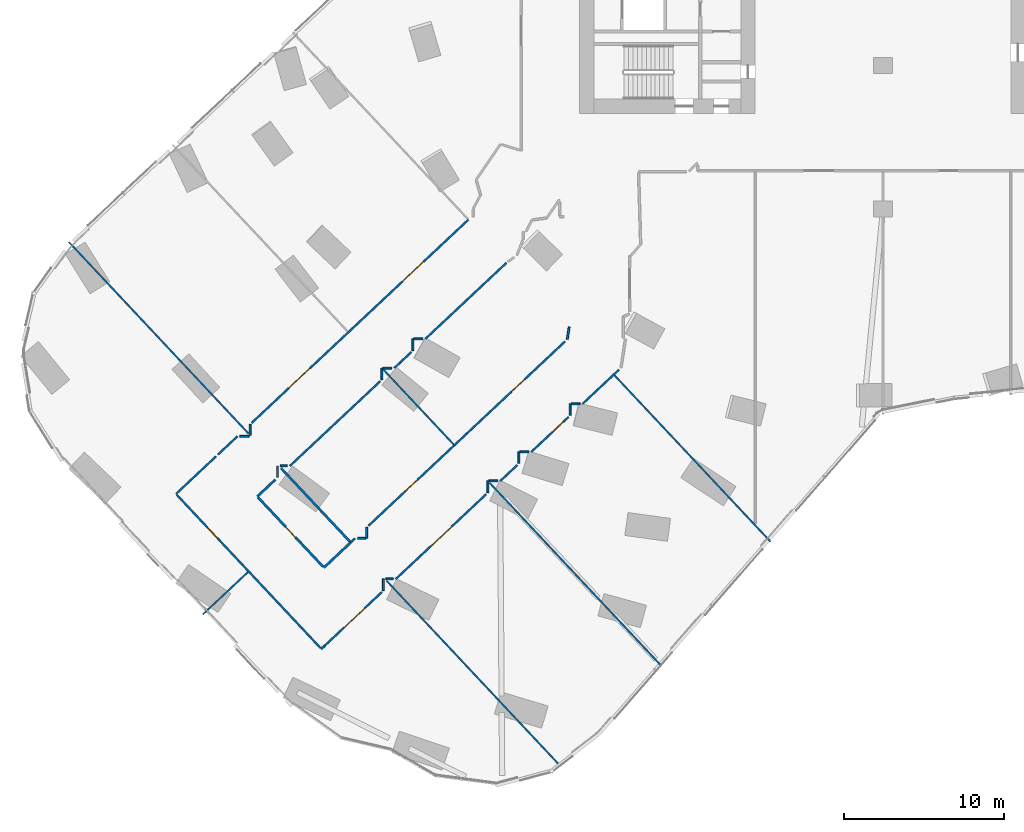
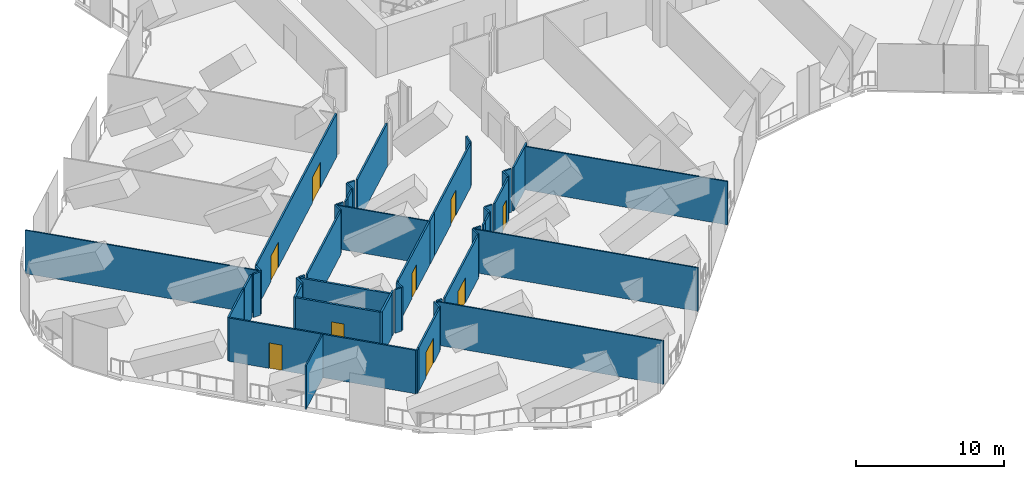
# One storey, part 21 of 31: 48 walls, 9 doors, 9 openings.
"""IFC4 building model written with IfcOpenShell, lengths in metres."""

from ifc_helpers import new_model, si_unit, direction, frame, frame_2d, origin, place, context, subcontext, project, spatial, rectangle, extrude, material, layer, layer_set, type_object, element, fill, save


model = new_model("IFC4")

# Units and contexts
model_context = context("Model", 3, precision=1e-05, world=origin(), true_north=direction((0.0, 1.0)))
body_context = subcontext(model_context, "Body", "Model", "MODEL_VIEW")
ifc_project = project(units=[si_unit("LENGTHUNIT", "METRE"), si_unit("AREAUNIT", "SQUARE_METRE"), si_unit("VOLUMEUNIT", "CUBIC_METRE"), si_unit("PLANEANGLEUNIT", "RADIAN"), si_unit("MASSUNIT", "GRAM", prefix="KILO")], contexts=[model_context])

# Site, building, storey
site_placement = place(None, origin())
site = spatial("IfcSite", under=ifc_project, at=site_placement, CompositionType="ELEMENT")
building_placement = place(site_placement, origin())
building = spatial("IfcBuilding", under=site, at=building_placement, Name="Orlundy Tower", CompositionType="ELEMENT")
storey_placement = place(building_placement, frame((0.0, 0.0, 54.800048828125)))
storey = spatial("IfcBuildingStorey", under=building, at=storey_placement, Name="L12", CompositionType="ELEMENT", Elevation=54.800048828125)

# Walls
ifc_material_1 = material(Name="Gypsum board partition")
ifc_layer_1 = layer(ifc_material_1, 0.10009765625)
ifc_layer_set_1 = layer_set([ifc_layer_1], Name="Floor partition 100")
wall_type_1 = type_object("IfcWallType", Name="Floor partition 100", PredefinedType="PARTITIONING", material=ifc_layer_set_1)
wall_1_placement = place(storey_placement, frame((-50.97900390625, -20.052001953125, 0.0), z_axis=(0.0, 0.0, 1.0), x_axis=(0.684158310291, -0.729333535812, 0.0)))
element("IfcWall", 1, at=wall_1_placement, inside=storey, type_object=wall_type_1, Name="wall-int-L12-016", PredefinedType="PARTITIONING", context=body_context, shape_type="SweptSolid", body=[
    extrude(rectangle(XDim=16.45068359375, YDim=0.10009765625, at=frame_2d((8.225341796875, 0.0))), origin(), (0.0, 0.0, 1.0), 3.579833984375),
])
wall_2_placement = place(storey_placement, frame((-31.0849609375, -41.260986328125, 0.0), z_axis=(0.0, 0.0, 1.0), x_axis=(0.684092269, -0.729395480857, 0.0)))
element("IfcWall", 2, at=wall_2_placement, inside=storey, type_object=wall_type_1, Name="wall-int-L12-018", PredefinedType="PARTITIONING", context=body_context, shape_type="SweptSolid", body=[
    extrude(rectangle(XDim=15.95703125, YDim=0.10009765625, at=frame_2d((7.978515625, 0.0))), origin(), (0.0, 0.0, 1.0), 3.579833984375),
])
wall_3_placement = place(storey_placement, frame((-31.27392578125, -28.052001953125, 0.0), z_axis=(0.0, 0.0, 1.0), x_axis=(0.684140939344, -0.729349830406, 0.0)))
element("IfcWall", 3, at=wall_3_placement, inside=storey, type_object=wall_type_1, Name="wall-int-L12-020", PredefinedType="PARTITIONING", context=body_context, shape_type="SweptSolid", body=[
    extrude(rectangle(XDim=6.4208984375, YDim=0.10009765625, at=frame_2d((3.21044921875, 0.0))), origin(), (0.0, 0.0, 1.0), 3.579833984375),
])
wall_4_placement = place(storey_placement, frame((-24.637939453125, -35.1259765625, 0.0), z_axis=(0.0, 0.0, 1.0), x_axis=(0.684140619999, -0.729350129956, 0.0)))
element("IfcWall", 4, at=wall_4_placement, inside=storey, type_object=wall_type_1, Name="wall-int-L12-021", PredefinedType="PARTITIONING", context=body_context, shape_type="SweptSolid", body=[
    extrude(rectangle(XDim=15.75244140625, YDim=0.10009765625, at=frame_2d((7.876220703125, 0.0))), origin(), (0.0, 0.0, 1.0), 3.579833984375),
])
wall_5_placement = place(storey_placement, frame((-16.81298828125, -28.402099609375, 0.0), z_axis=(0.0, 0.0, 1.0), x_axis=(0.684091249036, -0.729396437469, 0.0)))
element("IfcWall", 5, at=wall_5_placement, inside=storey, type_object=wall_type_1, Name="wall-int-L12-023", PredefinedType="PARTITIONING", context=body_context, shape_type="SweptSolid", body=[
    extrude(rectangle(XDim=14.2802734375, YDim=0.10009765625, at=frame_2d((7.14013671875, 0.0))), origin(), (0.0, 0.0, 1.0), 3.579833984375),
])
wall_6_placement = place(storey_placement, frame((-42.597900390625, -43.384033203125, 0.0), z_axis=(0.0, 0.0, 1.0), x_axis=(0.729270698329, 0.684225290791, 0.0)))
element("IfcWall", 6, at=wall_6_placement, inside=storey, type_object=wall_type_1, Name="wall-int-L12-106", PredefinedType="PARTITIONING", context=body_context, shape_type="SweptSolid", body=[
    extrude(rectangle(XDim=3.885986328125, YDim=0.10009765625, at=frame_2d((1.94287109375, 0.0))), origin(), (0.0, 0.0, 1.0), 3.579833984375),
])

# Wall, opening, door
ifc_material_2 = material(Name="Gypsum board partition, double layer")
ifc_layer_2 = layer(ifc_material_2, 0.125)
ifc_layer_set_2 = layer_set([ifc_layer_2], Name="Floor partition 125")
wall_type_2 = type_object("IfcWallType", Name="Floor partition 125", PredefinedType="PARTITIONING", material=ifc_layer_set_2)
wall_7_placement = place(storey_placement, frame((-35.20703125, -45.489990234375, 0.0), z_axis=(0.0, 0.0, 1.0), x_axis=(-0.684214039895, 0.72928125412, 0.0)))
wall_7 = element("IfcWall", 7, at=wall_7_placement, inside=storey, type_object=wall_type_2, Name="wall-int-L12-014", PredefinedType="PARTITIONING", context=body_context, shape_type="SweptSolid", body=[
    extrude(rectangle(XDim=13.18017578125, YDim=0.125, at=frame_2d((6.590087890625, 0.0))), origin(), (0.0, 0.0, 1.0), 3.579833984375),
])
opening_1_placement = place(wall_7_placement, frame((9.443115234375, 0.0, 0.0)))
opening_1 = element("IfcOpeningElement", 8, at=opening_1_placement, cuts=wall_7, Name="Opening 11114", PredefinedType="OPENING", context=body_context, shape_type="SweptSolid", body=[
    extrude(rectangle(XDim=0.89990234375, YDim=2.10009765625, at=frame_2d((0.449951171875, 1.050048828125))), frame((0.0, 0.072509765625, 0.0), z_axis=(0.0, -1.0, 0.0), x_axis=(1.0, 0.0, 0.0)), (0.0, 0.0, 1.0), 0.14501953125),
])
ifc_material_3 = material(Name="Timber door leaf", Category="wood")
door_type_1 = type_object("IfcDoorType", Name="Floor door single 900 FD30S", OperationType="NOTDEFINED", PredefinedType="DOOR", material=ifc_material_3)
door_1_placement = place(opening_1_placement, origin())
door_1 = element("IfcDoor", 9, at=door_1_placement, inside=storey, type_object=door_type_1, Name="Door 11114", OperationType="SINGLE_SWING_RIGHT", OverallHeight=2.10009765625, OverallWidth=0.89990234375, PredefinedType="DOOR", context=body_context, shape_type="SweptSolid", body=[
    extrude(rectangle(XDim=0.89990234375, YDim=2.10009765625, at=frame_2d((0.449951171875, 1.050048828125))), frame((0.0, 0.02490234375, 0.0), z_axis=(0.0, -1.0, 0.0), x_axis=(1.0, 0.0, 0.0)), (0.0, 0.0, 1.0), 0.050048828125),
])
fill(opening_1, door_1)

# Walls
wall_8_placement = place(storey_placement, frame((-31.1220703125, -41.155029296875, 0.0), z_axis=(0.0, 0.0, 1.0), x_axis=(1.0, 0.0, 0.0)))
element("IfcWall", 10, at=wall_8_placement, inside=storey, type_object=wall_type_2, Name="wall-int-L12-050", PredefinedType="PARTITIONING", context=body_context, shape_type="SweptSolid", body=[
    extrude(rectangle(XDim=0.462158203125, YDim=0.125, at=frame_2d((0.23095703125, 0.0))), origin(), (0.0, 0.0, 1.0), 3.579833984375),
])
wall_9_placement = place(storey_placement, frame((-32.888916015625, -38.60498046875, 0.0), z_axis=(0.0, 0.0, 1.0), x_axis=(1.0, 0.0, 0.0)))
element("IfcWall", 11, at=wall_9_placement, inside=storey, type_object=wall_type_2, Name="wall-int-L12-051", PredefinedType="PARTITIONING", context=body_context, shape_type="SweptSolid", body=[
    extrude(rectangle(XDim=0.5029296875, YDim=0.125, at=frame_2d((0.25146484375, 0.0))), origin(), (0.0, 0.0, 1.0), 3.579833984375),
])
wall_10_placement = place(storey_placement, frame((-24.674072265625, -35.02001953125, 0.0), z_axis=(0.0, 0.0, 1.0), x_axis=(1.0, 0.0, 0.0)))
element("IfcWall", 12, at=wall_10_placement, inside=storey, type_object=wall_type_2, Name="wall-int-L12-052", PredefinedType="PARTITIONING", context=body_context, shape_type="SweptSolid", body=[
    extrude(rectangle(XDim=0.55517578125, YDim=0.125, at=frame_2d((0.277587890625, 0.0))), origin(), (0.0, 0.0, 1.0), 3.579833984375),
])
wall_11_placement = place(storey_placement, frame((-37.74609375, -34.080078125, 0.0), z_axis=(0.0, 0.0, 1.0), x_axis=(1.0, 0.0, 0.0)))
element("IfcWall", 13, at=wall_11_placement, inside=storey, type_object=wall_type_2, Name="wall-int-L12-053", PredefinedType="PARTITIONING", context=body_context, shape_type="SweptSolid", body=[
    extrude(rectangle(XDim=0.4501953125, YDim=0.125, at=frame_2d((0.22509765625, 0.0))), origin(), (0.0, 0.0, 1.0), 3.579833984375),
])
wall_12_placement = place(storey_placement, frame((-22.72998046875, -33.196044921875, 0.0), z_axis=(0.0, 0.0, 1.0), x_axis=(1.0, 0.0, 0.0)))
element("IfcWall", 14, at=wall_12_placement, inside=storey, type_object=wall_type_2, Name="wall-int-L12-054", PredefinedType="PARTITIONING", context=body_context, shape_type="SweptSolid", body=[
    extrude(rectangle(XDim=0.555908203125, YDim=0.125, at=frame_2d((0.27783203125, 0.0))), origin(), (0.0, 0.0, 1.0), 3.579833984375),
])
wall_13_placement = place(storey_placement, frame((-40.260009765625, -32.219970703125, 0.0), z_axis=(0.0, 0.0, 1.0), x_axis=(1.0, 0.0, 0.0)))
element("IfcWall", 15, at=wall_13_placement, inside=storey, type_object=wall_type_2, Name="wall-int-L12-055", PredefinedType="PARTITIONING", context=body_context, shape_type="SweptSolid", body=[
    extrude(rectangle(XDim=0.572021484375, YDim=0.125, at=frame_2d((0.2861328125, 0.0))), origin(), (0.0, 0.0, 1.0), 3.579833984375),
])
wall_14_placement = place(storey_placement, frame((-19.52001953125, -30.18603515625, 0.0), z_axis=(0.0, 0.0, 1.0), x_axis=(1.0, 0.0, 0.0)))
element("IfcWall", 16, at=wall_14_placement, inside=storey, type_object=wall_type_2, Name="wall-int-L12-056", PredefinedType="PARTITIONING", context=body_context, shape_type="SweptSolid", body=[
    extrude(rectangle(XDim=0.554931640625, YDim=0.125, at=frame_2d((0.27734375, 0.0))), origin(), (0.0, 0.0, 1.0), 3.579833984375),
])
wall_15_placement = place(storey_placement, frame((-31.31103515625, -27.945068359375, 0.0), z_axis=(0.0, 0.0, 1.0), x_axis=(1.0, 0.0, 0.0)))
element("IfcWall", 17, at=wall_15_placement, inside=storey, type_object=wall_type_2, Name="wall-int-L12-057", PredefinedType="PARTITIONING", context=body_context, shape_type="SweptSolid", body=[
    extrude(rectangle(XDim=0.55712890625, YDim=0.125, at=frame_2d((0.278564453125, 0.0))), origin(), (0.0, 0.0, 1.0), 3.579833984375),
])
wall_16_placement = place(storey_placement, frame((-29.365966796875, -26.12109375, 0.0), z_axis=(0.0, 0.0, 1.0), x_axis=(1.0, 0.0, 0.0)))
element("IfcWall", 18, at=wall_16_placement, inside=storey, type_object=wall_type_2, Name="wall-int-L12-058", PredefinedType="PARTITIONING", context=body_context, shape_type="SweptSolid", body=[
    extrude(rectangle(XDim=0.556884765625, YDim=0.125, at=frame_2d((0.2783203125, 0.0))), origin(), (0.0, 0.0, 1.0), 3.579833984375),
])
wall_17_placement = place(storey_placement, frame((-35.16796875, -45.531982421875, 0.0), z_axis=(0.0, 0.0, 1.0), x_axis=(0.729917735091, 0.683535002761, 0.0)))
element("IfcWall", 19, at=wall_17_placement, inside=storey, type_object=wall_type_2, Name="wall-int-L12-091", PredefinedType="PARTITIONING", context=body_context, shape_type="SweptSolid", body=[
    extrude(rectangle(XDim=0.300048828125, YDim=0.125, at=frame_2d((0.14990234375, 0.0))), origin(), (0.0, 0.0, 1.0), 3.579833984375),
])
wall_18_placement = place(storey_placement, frame((-23.9609375, -35.02001953125, 0.0), z_axis=(0.0, 0.0, 1.0), x_axis=(0.729691146692, 0.683776886447, 0.0)))
element("IfcWall", 20, at=wall_18_placement, inside=storey, type_object=wall_type_2, Name="wall-int-L12-092", PredefinedType="PARTITIONING", context=body_context, shape_type="SweptSolid", body=[
    extrude(rectangle(XDim=0.49462890625, YDim=0.125, at=frame_2d((0.247314453125, 0.0))), origin(), (0.0, 0.0, 1.0), 3.579833984375),
])
wall_19_placement = place(storey_placement, frame((-30.236083984375, -27.60693359375, 0.0), z_axis=(0.0, 0.0, 1.0), x_axis=(0.730201947911, 0.683231377548, 0.0)))
element("IfcWall", 21, at=wall_19_placement, inside=storey, type_object=wall_type_2, Name="wall-int-L12-093", PredefinedType="PARTITIONING", context=body_context, shape_type="SweptSolid", body=[
    extrude(rectangle(XDim=0.961669921875, YDim=0.125, at=frame_2d((0.48095703125, 0.0))), origin(), (0.0, 0.0, 1.0), 3.579833984375),
])
wall_20_placement = place(storey_placement, frame((-44.26806640625, -35.8310546875, 0.0), z_axis=(0.0, 0.0, 1.0), x_axis=(0.729419883879, 0.684066248986, 0.0)))
element("IfcWall", 22, at=wall_20_placement, inside=storey, type_object=wall_type_2, Name="wall-int-L12-094", PredefinedType="PARTITIONING", context=body_context, shape_type="SweptSolid", body=[
    extrude(rectangle(XDim=3.439697265625, YDim=0.125, at=frame_2d((1.7197265625, 0.0))), origin(), (0.0, 0.0, 1.0), 3.579833984375),
])
wall_21_placement = place(storey_placement, frame((-41.64208984375, -33.367919921875, 0.0), z_axis=(0.0, 0.0, 1.0), x_axis=(0.729727797371, 0.683737772647, 0.0)))
element("IfcWall", 23, at=wall_21_placement, inside=storey, type_object=wall_type_2, Name="wall-int-L12-095", PredefinedType="PARTITIONING", context=body_context, shape_type="SweptSolid", body=[
    extrude(rectangle(XDim=1.677490234375, YDim=0.125, at=frame_2d((0.8388671875, 0.0))), origin(), (0.0, 0.0, 1.0), 3.579833984375),
])

# Wall, opening, door
wall_22_placement = place(storey_placement, frame((-31.383056640625, -41.98193359375, 0.0), z_axis=(0.0, 0.0, 1.0), x_axis=(-0.729340966423, -0.684150388947, 0.0)))
wall_22 = element("IfcWall", 24, at=wall_22_placement, inside=storey, type_object=wall_type_2, Name="wall-int-L12-096", PredefinedType="PARTITIONING", context=body_context, shape_type="SweptSolid", body=[
    extrude(rectangle(XDim=4.88916015625, YDim=0.125, at=frame_2d((2.444580078125, 0.0))), origin(), (0.0, 0.0, 1.0), 3.579833984375),
])
opening_2_placement = place(wall_22_placement, frame((1.455810546875, 0.0, 0.0)))
opening_2 = element("IfcOpeningElement", 25, at=opening_2_placement, cuts=wall_22, Name="Opening 11113", PredefinedType="OPENING", context=body_context, shape_type="SweptSolid", body=[
    extrude(rectangle(XDim=1.800048828125, YDim=2.10009765625, at=frame_2d((0.89990234375, 1.050048828125))), frame((0.0, 0.072509765625, 0.0), z_axis=(0.0, -1.0, 0.0), x_axis=(1.0, 0.0, 0.0)), (0.0, 0.0, 1.0), 0.14501953125),
])
ifc_material_4 = material(Name="Timber door leaf", Category="wood")
door_type_2 = type_object("IfcDoorType", Name="Floor door double 1800 FD30S", OperationType="NOTDEFINED", PredefinedType="DOOR", material=ifc_material_4)
door_2_placement = place(opening_2_placement, origin())
door_2 = element("IfcDoor", 26, at=door_2_placement, inside=storey, type_object=door_type_2, Name="Door 11113", OperationType="DOUBLE_DOOR_SINGLE_SWING", OverallHeight=2.10009765625, OverallWidth=1.800048828125, PredefinedType="DOOR", context=body_context, shape_type="SweptSolid", body=[
    extrude(rectangle(XDim=1.800048828125, YDim=2.10009765625, at=frame_2d((0.89990234375, 1.050048828125))), frame((0.0, 0.02490234375, 0.0), z_axis=(0.0, -1.0, 0.0), x_axis=(1.0, 0.0, 0.0)), (0.0, 0.0, 1.0), 0.050048828125),
])
fill(opening_2, door_2)

wall_23_placement = place(storey_placement, frame((-24.843017578125, -35.847900390625, 0.0), z_axis=(0.0, 0.0, 1.0), x_axis=(-0.729416485857, -0.684069872279, 0.0)))
wall_23 = element("IfcWall", 27, at=wall_23_placement, inside=storey, type_object=wall_type_2, Name="wall-int-L12-097", PredefinedType="PARTITIONING", context=body_context, shape_type="SweptSolid", body=[
    extrude(rectangle(XDim=7.758056640625, YDim=0.125, at=frame_2d((3.87890625, 0.0))), origin(), (0.0, 0.0, 1.0), 3.579833984375),
])
opening_3_placement = place(wall_23_placement, frame((2.955810546875, 0.0, 0.0)))
opening_3 = element("IfcOpeningElement", 28, at=opening_3_placement, cuts=wall_23, Name="Opening 11110", PredefinedType="OPENING", context=body_context, shape_type="SweptSolid", body=[
    extrude(rectangle(XDim=1.800048828125, YDim=2.10009765625, at=frame_2d((0.89990234375, 1.050048828125))), frame((0.0, 0.072509765625, 0.0), z_axis=(0.0, -1.0, 0.0), x_axis=(1.0, 0.0, 0.0)), (0.0, 0.0, 1.0), 0.14501953125),
])
door_3_placement = place(opening_3_placement, origin())
door_3 = element("IfcDoor", 29, at=door_3_placement, inside=storey, type_object=door_type_2, Name="Door 11110", OperationType="DOUBLE_DOOR_SINGLE_SWING", OverallHeight=2.10009765625, OverallWidth=1.800048828125, PredefinedType="DOOR", context=body_context, shape_type="SweptSolid", body=[
    extrude(rectangle(XDim=1.800048828125, YDim=2.10009765625, at=frame_2d((0.89990234375, 1.050048828125))), frame((0.0, 0.02490234375, 0.0), z_axis=(0.0, -1.0, 0.0), x_axis=(1.0, 0.0, 0.0)), (0.0, 0.0, 1.0), 0.050048828125),
])
fill(opening_3, door_3)

# Wall
wall_24_placement = place(storey_placement, frame((-23.60009765625, -34.681884765625, 0.0), z_axis=(0.0, 0.0, 1.0), x_axis=(0.729695429222, 0.683772316326, 0.0)))
element("IfcWall", 30, at=wall_24_placement, inside=storey, type_object=wall_type_2, Name="wall-int-L12-098", PredefinedType="PARTITIONING", context=body_context, shape_type="SweptSolid", body=[
    extrude(rectangle(XDim=0.962158203125, YDim=0.125, at=frame_2d((0.48095703125, 0.0))), origin(), (0.0, 0.0, 1.0), 3.579833984375),
])

# Wall, opening, door
wall_25_placement = place(storey_placement, frame((-19.68896484375, -31.013916015625, 0.0), z_axis=(0.0, 0.0, 1.0), x_axis=(-0.72947037737, -0.684012403791, 0.0)))
wall_25 = element("IfcWall", 31, at=wall_25_placement, inside=storey, type_object=wall_type_2, Name="wall-int-L12-099", PredefinedType="PARTITIONING", context=body_context, shape_type="SweptSolid", body=[
    extrude(rectangle(XDim=3.190185546875, YDim=0.125, at=frame_2d((1.59521484375, 0.0))), origin(), (0.0, 0.0, 1.0), 3.579833984375),
])
opening_4_placement = place(wall_25_placement, frame((0.455810546875, 0.0, 0.0)))
opening_4 = element("IfcOpeningElement", 32, at=opening_4_placement, cuts=wall_25, Name="Opening 11109", PredefinedType="OPENING", context=body_context, shape_type="SweptSolid", body=[
    extrude(rectangle(XDim=0.89990234375, YDim=2.10009765625, at=frame_2d((0.449951171875, 1.050048828125))), frame((0.0, 0.072509765625, 0.0), z_axis=(0.0, -1.0, 0.0), x_axis=(1.0, 0.0, 0.0)), (0.0, 0.0, 1.0), 0.14501953125),
])
door_4_placement = place(opening_4_placement, origin())
door_4 = element("IfcDoor", 33, at=door_4_placement, inside=storey, type_object=door_type_1, Name="Door 11109", OperationType="SINGLE_SWING_LEFT", OverallHeight=2.10009765625, OverallWidth=0.89990234375, PredefinedType="DOOR", context=body_context, shape_type="SweptSolid", body=[
    extrude(rectangle(XDim=0.89990234375, YDim=2.10009765625, at=frame_2d((0.449951171875, 1.050048828125))), frame((0.0, 0.02490234375, 0.0), z_axis=(0.0, -1.0, 0.0), x_axis=(1.0, 0.0, 0.0)), (0.0, 0.0, 1.0), 0.050048828125),
])
fill(opening_4, door_4)

# Wall
wall_26_placement = place(storey_placement, frame((-18.806884765625, -30.18603515625, 0.0), z_axis=(0.0, 0.0, 1.0), x_axis=(0.729339012688, 0.684152471728, 0.0)))
element("IfcWall", 34, at=wall_26_placement, inside=storey, type_object=wall_type_2, Name="wall-int-L12-100", PredefinedType="PARTITIONING", context=body_context, shape_type="SweptSolid", body=[
    extrude(rectangle(XDim=3.112060546875, YDim=0.125, at=frame_2d((1.55615234375, 0.0))), origin(), (0.0, 0.0, 1.0), 3.579833984375),
])

# Wall, opening, door
wall_27_placement = place(storey_placement, frame((-32.218017578125, -37.827880859375, 0.0), z_axis=(0.0, 0.0, 1.0), x_axis=(0.729395805056, 0.68409192333, 0.0)))
wall_27 = element("IfcWall", 35, at=wall_27_placement, inside=storey, type_object=wall_type_2, Name="wall-int-L12-102", PredefinedType="PARTITIONING", context=body_context, shape_type="SweptSolid", body=[
    extrude(rectangle(XDim=7.37744140625, YDim=0.125, at=frame_2d((3.688720703125, 0.0))), origin(), (0.0, 0.0, 1.0), 3.579833984375),
])
opening_5_placement = place(wall_27_placement, frame((3.205810546875, 0.0, 0.0)))
opening_5 = element("IfcOpeningElement", 36, at=opening_5_placement, cuts=wall_27, Name="Opening 11112", PredefinedType="OPENING", context=body_context, shape_type="SweptSolid", body=[
    extrude(rectangle(XDim=1.0, YDim=2.10009765625, at=frame_2d((0.5, 1.050048828125))), frame((0.0, 0.072509765625, 0.0), z_axis=(0.0, -1.0, 0.0), x_axis=(1.0, 0.0, 0.0)), (0.0, 0.0, 1.0), 0.14501953125),
])
ifc_material_5 = material(Name="Timber door leaf", Category="wood")
door_type_3 = type_object("IfcDoorType", Name="Floor door wide 1000 FD30S", OperationType="NOTDEFINED", PredefinedType="DOOR", material=ifc_material_5)
door_5_placement = place(opening_5_placement, origin())
door_5 = element("IfcDoor", 37, at=door_5_placement, inside=storey, type_object=door_type_3, Name="Door 11112", OperationType="SINGLE_SWING_RIGHT", OverallHeight=2.10009765625, OverallWidth=1.0, PredefinedType="DOOR", context=body_context, shape_type="SweptSolid", body=[
    extrude(rectangle(XDim=1.0, YDim=2.10009765625, at=frame_2d((0.5, 1.050048828125))), frame((0.0, 0.02490234375, 0.0), z_axis=(0.0, -1.0, 0.0), x_axis=(1.0, 0.0, 0.0)), (0.0, 0.0, 1.0), 0.050048828125),
])
fill(opening_5, door_5)

wall_28_placement = place(storey_placement, frame((-26.06298828125, -32.054931640625, 0.0), z_axis=(0.0, 0.0, 1.0), x_axis=(0.729480399327, 0.684001715639, 0.0)))
wall_28 = element("IfcWall", 38, at=wall_28_placement, inside=storey, type_object=wall_type_2, Name="wall-int-L12-103", PredefinedType="PARTITIONING", context=body_context, shape_type="SweptSolid", body=[
    extrude(rectangle(XDim=8.4443359375, YDim=0.125, at=frame_2d((4.22216796875, 0.0))), origin(), (0.0, 0.0, 1.0), 3.579833984375),
])
opening_6_placement = place(wall_28_placement, frame((3.85009765625, 0.0, 0.0)))
opening_6 = element("IfcOpeningElement", 39, at=opening_6_placement, cuts=wall_28, Name="Opening 11111", PredefinedType="OPENING", context=body_context, shape_type="SweptSolid", body=[
    extrude(rectangle(XDim=1.10009765625, YDim=2.10009765625, at=frame_2d((0.550048828125, 1.050048828125))), frame((0.0, 0.072509765625, 0.0), z_axis=(0.0, -1.0, 0.0), x_axis=(1.0, 0.0, 0.0)), (0.0, 0.0, 1.0), 0.14501953125),
])
ifc_material_6 = material(Name="Timber door leaf", Category="wood")
door_type_4 = type_object("IfcDoorType", Name="Floor door xwide 1100 FD30S", OperationType="NOTDEFINED", PredefinedType="DOOR", material=ifc_material_6)
door_6_placement = place(opening_6_placement, origin())
door_6 = element("IfcDoor", 40, at=door_6_placement, inside=storey, type_object=door_type_4, Name="Door 11111", OperationType="SINGLE_SWING_RIGHT", OverallHeight=2.10009765625, OverallWidth=1.10009765625, PredefinedType="DOOR", context=body_context, shape_type="SweptSolid", body=[
    extrude(rectangle(XDim=1.10009765625, YDim=2.10009765625, at=frame_2d((0.550048828125, 1.050048828125))), frame((0.0, 0.02490234375, 0.0), z_axis=(0.0, -1.0, 0.0), x_axis=(1.0, 0.0, 0.0)), (0.0, 0.0, 1.0), 0.050048828125),
])
fill(opening_6, door_6)

# Walls
wall_29_placement = place(storey_placement, frame((-26.8359375, -32.781005859375, 0.0), z_axis=(0.0, 0.0, 1.0), x_axis=(0.728861997168, 0.684660637896, 0.0)))
element("IfcWall", 41, at=wall_29_placement, inside=storey, type_object=wall_type_2, Name="wall-int-L12-104", PredefinedType="PARTITIONING", context=body_context, shape_type="SweptSolid", body=[
    extrude(rectangle(XDim=1.060546875, YDim=0.125, at=frame_2d((0.5302734375, 0.0))), origin(), (0.0, 0.0, 1.0), 3.579833984375),
])
wall_30_placement = place(storey_placement, frame((-33.327880859375, -38.8701171875, 0.0), z_axis=(0.0, 0.0, 1.0), x_axis=(0.728311539341, 0.685246161363, 0.0)))
element("IfcWall", 42, at=wall_30_placement, inside=storey, type_object=wall_type_2, Name="wall-int-L12-105", PredefinedType="PARTITIONING", context=body_context, shape_type="SweptSolid", body=[
    extrude(rectangle(XDim=0.385498046875, YDim=0.125, at=frame_2d((0.19287109375, 0.0))), origin(), (0.0, 0.0, 1.0), 3.579833984375),
])
wall_31_placement = place(storey_placement, frame((-37.137939453125, -34.080078125, 0.0), z_axis=(0.0, 0.0, 1.0), x_axis=(0.729416485857, 0.684069872279, 0.0)))
element("IfcWall", 43, at=wall_31_placement, inside=storey, type_object=wall_type_2, Name="wall-int-L12-108", PredefinedType="PARTITIONING", context=body_context, shape_type="SweptSolid", body=[
    extrude(rectangle(XDim=7.758056640625, YDim=0.125, at=frame_2d((3.87890625, 0.0))), origin(), (0.0, 0.0, 1.0), 3.579833984375),
])
wall_32_placement = place(storey_placement, frame((-28.65087890625, -26.12109375, 0.0), z_axis=(0.0, 0.0, 1.0), x_axis=(0.729302874573, 0.684190994635, 0.0)))
element("IfcWall", 44, at=wall_32_placement, inside=storey, type_object=wall_type_2, Name="wall-int-L12-109", PredefinedType="PARTITIONING", context=body_context, shape_type="SweptSolid", body=[
    extrude(rectangle(XDim=6.954345703125, YDim=0.125, at=frame_2d((3.47705078125, 0.0))), origin(), (0.0, 0.0, 1.0), 3.579833984375),
])
wall_33_placement = place(storey_placement, frame((-30.595947265625, -27.945068359375, 0.0), z_axis=(0.0, 0.0, 1.0), x_axis=(0.728765825334, 0.68476300413, 0.0)))
element("IfcWall", 45, at=wall_33_placement, inside=storey, type_object=wall_type_2, Name="wall-int-L12-110", PredefinedType="PARTITIONING", context=body_context, shape_type="SweptSolid", body=[
    extrude(rectangle(XDim=0.493896484375, YDim=0.125, at=frame_2d((0.2470703125, 0.0))), origin(), (0.0, 0.0, 1.0), 3.579833984375),
])

# Wall, openings, doors
wall_34_placement = place(storey_placement, frame((-39.52001953125, -31.3779296875, 0.0), z_axis=(0.0, 0.0, 1.0), x_axis=(0.729357865, 0.684132373713, 0.0)))
wall_34 = element("IfcWall", 46, at=wall_34_placement, inside=storey, type_object=wall_type_2, Name="wall-int-L12-111", PredefinedType="PARTITIONING", context=body_context, shape_type="SweptSolid", body=[
    extrude(rectangle(XDim=18.59716796875, YDim=0.125, at=frame_2d((9.298583984375, 0.0))), origin(), (0.0, 0.0, 1.0), 3.579833984375),
])
opening_7_placement = place(wall_34_placement, frame((12.951904296875, 0.0, 0.0)))
opening_7 = element("IfcOpeningElement", 47, at=opening_7_placement, cuts=wall_34, Name="Opening 11115", PredefinedType="OPENING", context=body_context, shape_type="SweptSolid", body=[
    extrude(rectangle(XDim=1.800048828125, YDim=2.10009765625, at=frame_2d((0.89990234375, 1.050048828125))), frame((0.0, 0.072509765625, 0.0), z_axis=(0.0, -1.0, 0.0), x_axis=(1.0, 0.0, 0.0)), (0.0, 0.0, 1.0), 0.14501953125),
])
opening_8_placement = place(wall_34_placement, frame((3.205810546875, 0.0, 0.0)))
opening_8 = element("IfcOpeningElement", 48, at=opening_8_placement, cuts=wall_34, Name="Opening 11116", PredefinedType="OPENING", context=body_context, shape_type="SweptSolid", body=[
    extrude(rectangle(XDim=1.800048828125, YDim=2.10009765625, at=frame_2d((0.89990234375, 1.050048828125))), frame((0.0, 0.072509765625, 0.0), z_axis=(0.0, -1.0, 0.0), x_axis=(1.0, 0.0, 0.0)), (0.0, 0.0, 1.0), 0.14501953125),
])
door_7_placement = place(opening_7_placement, origin())
door_7 = element("IfcDoor", 49, at=door_7_placement, inside=storey, type_object=door_type_2, Name="Door 11115", OperationType="DOUBLE_DOOR_SINGLE_SWING", OverallHeight=2.10009765625, OverallWidth=1.800048828125, PredefinedType="DOOR", context=body_context, shape_type="SweptSolid", body=[
    extrude(rectangle(XDim=1.800048828125, YDim=2.10009765625, at=frame_2d((0.89990234375, 1.050048828125))), frame((0.0, 0.02490234375, 0.0), z_axis=(0.0, -1.0, 0.0), x_axis=(1.0, 0.0, 0.0)), (0.0, 0.0, 1.0), 0.050048828125),
])
fill(opening_7, door_7)
door_8_placement = place(opening_8_placement, origin())
door_8 = element("IfcDoor", 50, at=door_8_placement, inside=storey, type_object=door_type_2, Name="Door 11116", OperationType="DOUBLE_DOOR_SINGLE_SWING", OverallHeight=2.10009765625, OverallWidth=1.800048828125, PredefinedType="DOOR", context=body_context, shape_type="SweptSolid", body=[
    extrude(rectangle(XDim=1.800048828125, YDim=2.10009765625, at=frame_2d((0.89990234375, 1.050048828125))), frame((0.0, 0.02490234375, 0.0), z_axis=(0.0, -1.0, 0.0), x_axis=(1.0, 0.0, 0.0)), (0.0, 0.0, 1.0), 0.050048828125),
])
fill(opening_8, door_8)

# Walls
wall_35_placement = place(storey_placement, frame((-19.77099609375, -26.154052734375, 0.0), z_axis=(0.0, 0.0, 1.0), x_axis=(0.153969677757, 0.988075573188, 0.0)))
element("IfcWall", 51, at=wall_35_placement, inside=storey, type_object=wall_type_2, Name="wall-int-L12-135", PredefinedType="PARTITIONING", context=body_context, shape_type="SweptSolid", body=[
    extrude(rectangle(XDim=0.786376953125, YDim=0.125, at=frame_2d((0.39306640625, 0.0))), origin(), (0.0, 0.0, 1.0), 3.579833984375),
])
for number, where, z_axis, x_axis, name in (
    (52, (-19.5830078125, -30.9140625, 0.0), (0.0, 0.0, 1.0), (0.0, 1.0, 0.0), "wall-int-L12-156"),
    (53, (-22.7919921875, -33.924072265625, 0.0), (0.0, 0.0, 1.0), (0.0, 1.0, 0.0), "wall-int-L12-160"),
):
    element("IfcWall", number, at=place(storey_placement, frame(where, z_axis=z_axis, x_axis=x_axis)), inside=storey, type_object=wall_type_2, Name=name, PredefinedType="PARTITIONING", context=body_context, shape_type="SweptSolid", body=[
        extrude(rectangle(XDim=0.72802734375, YDim=0.125, at=frame_2d((0.364013671875, 0.0))), origin(), (0.0, 0.0, 1.0), 3.579833984375),
    ])
wall_36_placement = place(storey_placement, frame((-24.737060546875, -35.7490234375, 0.0), z_axis=(0.0, 0.0, 1.0), x_axis=(0.0, 1.0, 0.0)))
element("IfcWall", 54, at=wall_36_placement, inside=storey, type_object=wall_type_2, Name="wall-int-L12-161", PredefinedType="PARTITIONING", context=body_context, shape_type="SweptSolid", body=[
    extrude(rectangle(XDim=0.72900390625, YDim=0.125, at=frame_2d((0.364501953125, 0.0))), origin(), (0.0, 0.0, 1.0), 3.579833984375),
])
wall_37_placement = place(storey_placement, frame((-29.428955078125, -26.85107421875, 0.0), z_axis=(0.0, 0.0, 1.0), x_axis=(0.0, 1.0, 0.0)))
element("IfcWall", 55, at=wall_37_placement, inside=storey, type_object=wall_type_2, Name="wall-int-L12-163", PredefinedType="PARTITIONING", context=body_context, shape_type="SweptSolid", body=[
    extrude(rectangle(XDim=0.72998046875, YDim=0.125, at=frame_2d((0.364990234375, 0.0))), origin(), (0.0, 0.0, 1.0), 3.579833984375),
])
wall_38_placement = place(storey_placement, frame((-31.278076171875, -41.883056640625, 0.0), z_axis=(0.0, 0.0, 1.0), x_axis=(0.0, 1.0, 0.0)))
element("IfcWall", 56, at=wall_38_placement, inside=storey, type_object=wall_type_2, Name="wall-int-L12-164", PredefinedType="PARTITIONING", context=body_context, shape_type="SweptSolid", body=[
    extrude(rectangle(XDim=0.72802734375, YDim=0.125, at=frame_2d((0.364013671875, 0.0))), origin(), (0.0, 0.0, 1.0), 3.579833984375),
])
wall_39_placement = place(storey_placement, frame((-31.3740234375, -28.674072265625, 0.0), z_axis=(0.0, 0.0, 1.0), x_axis=(0.0, 1.0, 0.0)))
element("IfcWall", 57, at=wall_39_placement, inside=storey, type_object=wall_type_2, Name="wall-int-L12-165", PredefinedType="PARTITIONING", context=body_context, shape_type="SweptSolid", body=[
    extrude(rectangle(XDim=0.72900390625, YDim=0.125, at=frame_2d((0.364501953125, 0.0))), origin(), (0.0, 0.0, 1.0), 3.579833984375),
])
wall_40_placement = place(storey_placement, frame((-32.323974609375, -38.60498046875, 0.0), z_axis=(0.0, 0.0, 1.0), x_axis=(0.0, 1.0, 0.0)))
element("IfcWall", 58, at=wall_40_placement, inside=storey, type_object=wall_type_2, Name="wall-int-L12-166", PredefinedType="PARTITIONING", context=body_context, shape_type="SweptSolid", body=[
    extrude(rectangle(XDim=0.677978515625, YDim=0.125, at=frame_2d((0.3388671875, 0.0))), origin(), (0.0, 0.0, 1.0), 3.579833984375),
])
wall_41_placement = place(storey_placement, frame((-39.625, -32.156005859375, 0.0), z_axis=(0.0, 0.0, 1.0), x_axis=(0.0, 1.0, 0.0)))
element("IfcWall", 59, at=wall_41_placement, inside=storey, type_object=wall_type_2, Name="wall-int-L12-168", PredefinedType="PARTITIONING", context=body_context, shape_type="SweptSolid", body=[
    extrude(rectangle(XDim=0.678955078125, YDim=0.125, at=frame_2d((0.33935546875, 0.0))), origin(), (0.0, 0.0, 1.0), 3.579833984375),
])

# Wall, opening, door
ifc_material_7 = material(Name="Blockwork shaft wall", Category="masonry")
ifc_layer_3 = layer(ifc_material_7, 0.14990234375)
ifc_layer_set_3 = layer_set([ifc_layer_3], Name="Floor shaft wall 150")
wall_type_3 = type_object("IfcWallType", Name="Floor shaft wall 150", PredefinedType="PARTITIONING", material=ifc_layer_set_3)
wall_42_placement = place(storey_placement, frame((-39.126953125, -36.049072265625, 0.0), z_axis=(0.0, 0.0, 1.0), x_axis=(0.684241361078, -0.729255620335, 0.0)))
wall_42 = element("IfcWall", 60, at=wall_42_placement, inside=storey, type_object=wall_type_3, Name="wall-int-L12-015", PredefinedType="PARTITIONING", context=body_context, shape_type="SweptSolid", body=[
    extrude(rectangle(XDim=5.94970703125, YDim=0.14990234375, at=frame_2d((2.974853515625, 0.0))), origin(), (0.0, 0.0, 1.0), 3.579833984375),
])
opening_9_placement = place(wall_42_placement, frame((2.52490234375, 0.0, 0.0)))
opening_9 = element("IfcOpeningElement", 61, at=opening_9_placement, cuts=wall_42, Name="Opening 11108", PredefinedType="OPENING", context=body_context, shape_type="SweptSolid", body=[
    extrude(rectangle(XDim=0.89990234375, YDim=2.10009765625, at=frame_2d((0.449951171875, 1.050048828125))), frame((0.0, 0.0849609375, 0.0), z_axis=(0.0, -1.0, 0.0), x_axis=(1.0, 0.0, 0.0)), (0.0, 0.0, 1.0), 0.169921875),
])
ifc_material_8 = material(Name="Timber door leaf", Category="wood")
door_type_5 = type_object("IfcDoorType", Name="Floor door single 900 FD60", OperationType="NOTDEFINED", PredefinedType="DOOR", material=ifc_material_8)
door_9_placement = place(opening_9_placement, origin())
door_9 = element("IfcDoor", 62, at=door_9_placement, inside=storey, type_object=door_type_5, Name="Door 11108", OperationType="SINGLE_SWING_RIGHT", OverallHeight=2.10009765625, OverallWidth=0.89990234375, PredefinedType="DOOR", context=body_context, shape_type="SweptSolid", body=[
    extrude(rectangle(XDim=0.89990234375, YDim=2.10009765625, at=frame_2d((0.449951171875, 1.050048828125))), frame((0.0, 0.02490234375, 0.0), z_axis=(0.0, -1.0, 0.0), x_axis=(1.0, 0.0, 0.0)), (0.0, 0.0, 1.0), 0.050048828125),
])
fill(opening_9, door_9)

# Walls
wall_43_placement = place(storey_placement, frame((-37.69091796875, -34.218017578125, 0.0), z_axis=(0.0, 0.0, 1.0), x_axis=(0.684143396036, -0.729347525985, 0.0)))
element("IfcWall", 63, at=wall_43_placement, inside=storey, type_object=wall_type_3, Name="wall-int-L12-017", PredefinedType="PARTITIONING", context=body_context, shape_type="SweptSolid", body=[
    extrude(rectangle(XDim=6.302734375, YDim=0.14990234375, at=frame_2d((3.1513671875, 0.0))), origin(), (0.0, 0.0, 1.0), 3.579833984375),
])
wall_44_placement = place(storey_placement, frame((-35.0048828125, -40.443115234375, 0.0), z_axis=(0.0, 0.0, 1.0), x_axis=(0.729361682403, 0.684128303934, 0.0)))
element("IfcWall", 64, at=wall_44_placement, inside=storey, type_object=wall_type_3, Name="wall-int-L12-101", PredefinedType="PARTITIONING", context=body_context, shape_type="SweptSolid", body=[
    extrude(rectangle(XDim=2.29931640625, YDim=0.14990234375, at=frame_2d((1.149658203125, 0.0))), origin(), (0.0, 0.0, 1.0), 3.579833984375),
])
wall_45_placement = place(storey_placement, frame((-39.177978515625, -35.993896484375, 0.0), z_axis=(0.0, 0.0, 1.0), x_axis=(0.729512799171, 0.683967159918, 0.0)))
element("IfcWall", 65, at=wall_45_placement, inside=storey, type_object=wall_type_3, Name="wall-int-L12-107", PredefinedType="PARTITIONING", context=body_context, shape_type="SweptSolid", body=[
    extrude(rectangle(XDim=1.559814453125, YDim=0.14990234375, at=frame_2d((0.77978515625, 0.0))), origin(), (0.0, 0.0, 1.0), 3.579833984375),
])
wall_46_placement = place(storey_placement, frame((-37.9130859375, -34.80810546875, 0.0), z_axis=(0.0, 0.0, 1.0), x_axis=(0.0, 1.0, 0.0)))
element("IfcWall", 66, at=wall_46_placement, inside=storey, type_object=wall_type_3, Name="wall-int-L12-167", PredefinedType="PARTITIONING", context=body_context, shape_type="SweptSolid", body=[
    extrude(rectangle(XDim=0.72802734375, YDim=0.14990234375, at=frame_2d((0.364013671875, 0.0))), origin(), (0.0, 0.0, 1.0), 3.579833984375),
])

save(model, "model.ifc")
